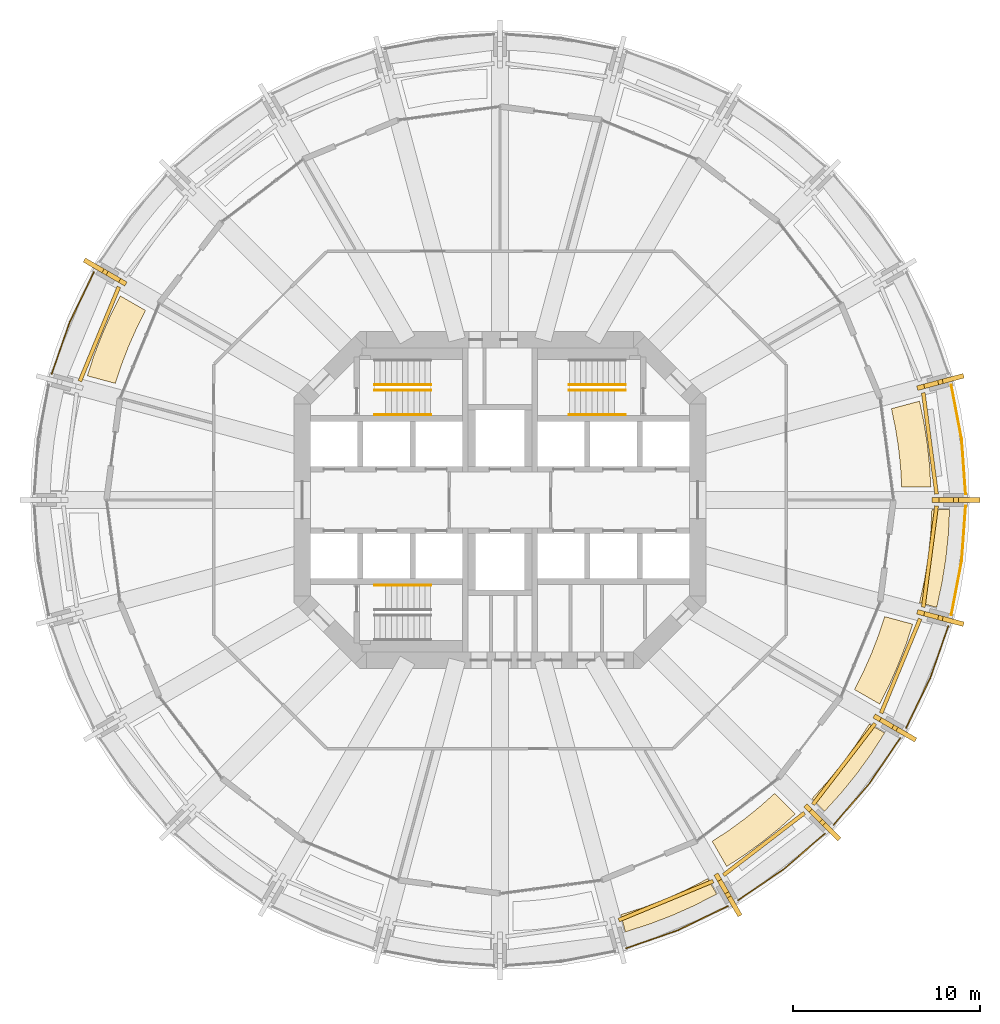
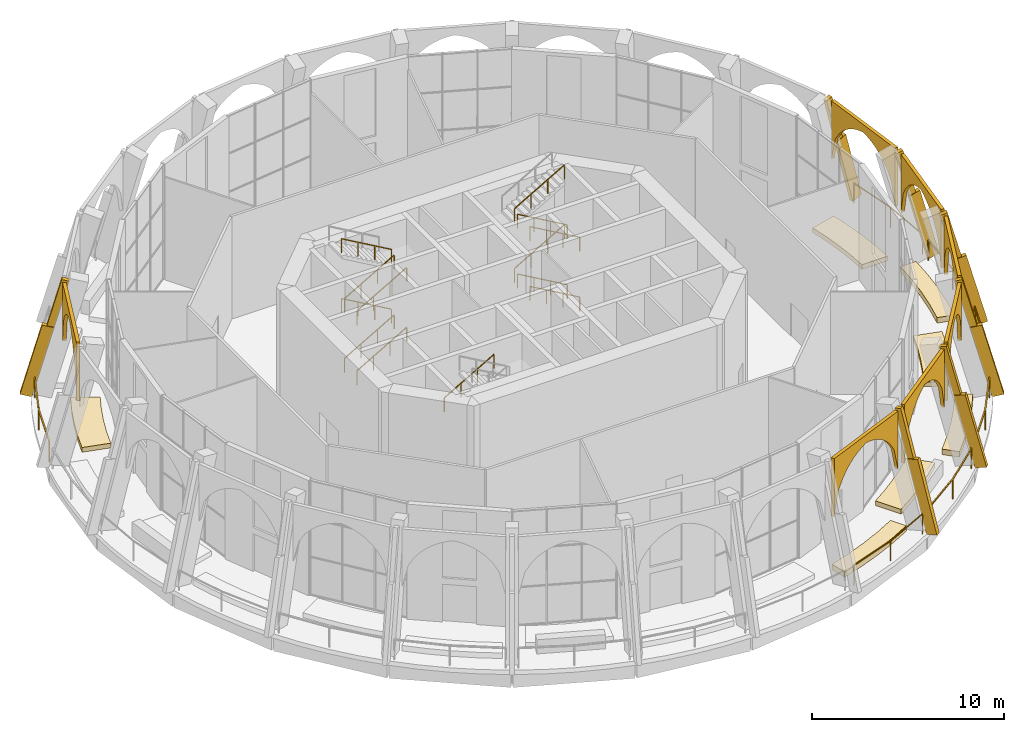
# One storey, part 17 of 18: 28 coverings, 20 railings.
"""IFC4 building model written with IfcOpenShell, lengths in metres."""

from ifc_helpers import new_model, si_unit, direction, frame, origin, origin_2d, place, context, subcontext, project, spatial, polyline, rectangle, outline, extrude, material, layer, layer_set, material_profile, profile_set, type_object, element, save


model = new_model("IFC4")

# Units and contexts
model_context = context("Model", 3, precision=1e-05, world=origin(), true_north=direction((0.0, 1.0)))
body_context = subcontext(model_context, "Body", "Model", "MODEL_VIEW")
ifc_project = project(units=[si_unit("LENGTHUNIT", "METRE"), si_unit("AREAUNIT", "SQUARE_METRE"), si_unit("VOLUMEUNIT", "CUBIC_METRE"), si_unit("PLANEANGLEUNIT", "RADIAN"), si_unit("MASSUNIT", "GRAM", prefix="KILO")], contexts=[model_context])

# Site, building, storey
site_placement = place(None, origin())
site = spatial("IfcSite", under=ifc_project, at=site_placement, CompositionType="ELEMENT")
building_placement = place(site_placement, origin())
building = spatial("IfcBuilding", under=site, at=building_placement, Name="Torre Triforio", CompositionType="ELEMENT")
storey_placement = place(building_placement, frame((0.0, 0.0, 146.60009765625)))
storey = spatial("IfcBuildingStorey", under=building, at=storey_placement, Name="L33", CompositionType="ELEMENT", Elevation=146.60009765625)

# Railings
ifc_material_1 = material(Name="Stainless steel AISI 316", Category="steel")
railing_type_1 = type_object("IfcRailingType", Name="HANDRAIL 920", PredefinedType="HANDRAIL", material=ifc_material_1)
for number, where, name in (
    (1, (-6.699951171875, 4.550048828125, 0.172607421875), "Handrail ST1"),
    (2, (-6.699951171875, 5.85009765625, 0.172607421875), "Handrail ST1"),
):
    element("IfcRailing", number, at=place(storey_placement, frame(where)), inside=storey, type_object=railing_type_1, Name=name, PredefinedType="HANDRAIL", context=body_context, shape_type="SweptSolid", body=[
        extrude(rectangle(XDim=0.048095703125, YDim=0.048095703125, at=origin_2d()), frame((0.0, 0.0, 0.89599609375), z_axis=(0.866619684472, 0.0, 0.498969260062), x_axis=(0.0, 1.0, 0.0)), (0.0, 0.0, 1.0), 3.461669921875),
        extrude(rectangle(XDim=0.0419921875, YDim=0.0419921875, at=origin_2d()), origin(), (0.0, 0.0, 1.0), 0.871826171875),
        extrude(rectangle(XDim=0.0419921875, YDim=0.0419921875, at=origin_2d()), frame((1.0, 0.0, 0.57568359375)), (0.0, 0.0, 1.0), 0.871826171875),
        extrude(rectangle(XDim=0.0419921875, YDim=0.0419921875, at=origin_2d()), frame((2.0, 0.0, 1.151611328125)), (0.0, 0.0, 1.0), 0.871826171875),
        extrude(rectangle(XDim=0.0419921875, YDim=0.0419921875, at=origin_2d()), frame((3.0, 0.0, 1.727294921875)), (0.0, 0.0, 1.0), 0.871826171875),
    ])
railing_1_placement = place(storey_placement, frame((-3.699951171875, 6.14990234375, 2.072509765625)))
element("IfcRailing", 3, at=railing_1_placement, inside=storey, type_object=railing_type_1, Name="Handrail ST1", PredefinedType="HANDRAIL", context=body_context, shape_type="SweptSolid", body=[
    extrude(rectangle(XDim=0.048095703125, YDim=0.048095703125, at=origin_2d()), frame((0.0, 0.0, 0.89599609375), z_axis=(-0.866619684472, 0.0, 0.498969260062), x_axis=(0.0, -1.0, 0.0)), (0.0, 0.0, 1.0), 3.461669921875),
    extrude(rectangle(XDim=0.0419921875, YDim=0.0419921875, at=origin_2d()), origin(), (0.0, 0.0, 1.0), 0.871826171875),
    extrude(rectangle(XDim=0.0419921875, YDim=0.0419921875, at=origin_2d()), frame((-1.0, 0.0, 0.57568359375)), (0.0, 0.0, 1.0), 0.871826171875),
    extrude(rectangle(XDim=0.0419921875, YDim=0.0419921875, at=origin_2d()), frame((-2.0, 0.0, 1.151611328125)), (0.0, 0.0, 1.0), 0.871826171875),
    extrude(rectangle(XDim=0.0419921875, YDim=0.0419921875, at=origin_2d()), frame((-3.0, 0.0, 1.727294921875)), (0.0, 0.0, 1.0), 0.871826171875),
])
for number, where, name in (
    (4, (-6.699951171875, 4.550048828125, 3.97265625), "Handrail ST1"),
    (5, (-6.699951171875, 5.85009765625, 3.97265625), "Handrail ST1"),
):
    element("IfcRailing", number, at=place(storey_placement, frame(where)), inside=storey, type_object=railing_type_1, Name=name, PredefinedType="HANDRAIL", context=body_context, shape_type="SweptSolid", body=[
        extrude(rectangle(XDim=0.048095703125, YDim=0.048095703125, at=origin_2d()), frame((0.0, 0.0, 0.89599609375), z_axis=(0.866619684472, 0.0, 0.498969260062), x_axis=(0.0, 1.0, 0.0)), (0.0, 0.0, 1.0), 3.461669921875),
        extrude(rectangle(XDim=0.0419921875, YDim=0.0419921875, at=origin_2d()), origin(), (0.0, 0.0, 1.0), 0.871826171875),
        extrude(rectangle(XDim=0.0419921875, YDim=0.0419921875, at=origin_2d()), frame((1.0, 0.0, 0.57568359375)), (0.0, 0.0, 1.0), 0.871826171875),
        extrude(rectangle(XDim=0.0419921875, YDim=0.0419921875, at=origin_2d()), frame((2.0, 0.0, 1.151611328125)), (0.0, 0.0, 1.0), 0.871826171875),
        extrude(rectangle(XDim=0.0419921875, YDim=0.0419921875, at=origin_2d()), frame((3.0, 0.0, 1.727294921875)), (0.0, 0.0, 1.0), 0.871826171875),
    ])
for number, where, name in (
    (6, (-3.699951171875, 6.14990234375, 5.87255859375), "Handrail ST1"),
    (7, (6.699951171875, 4.550048828125, 0.172607421875), "Handrail ST2"),
    (8, (6.699951171875, 5.85009765625, 0.172607421875), "Handrail ST2"),
):
    element("IfcRailing", number, at=place(storey_placement, frame(where)), inside=storey, type_object=railing_type_1, Name=name, PredefinedType="HANDRAIL", context=body_context, shape_type="SweptSolid", body=[
        extrude(rectangle(XDim=0.048095703125, YDim=0.048095703125, at=origin_2d()), frame((0.0, 0.0, 0.89599609375), z_axis=(-0.866619684472, 0.0, 0.498969260062), x_axis=(0.0, -1.0, 0.0)), (0.0, 0.0, 1.0), 3.461669921875),
        extrude(rectangle(XDim=0.0419921875, YDim=0.0419921875, at=origin_2d()), origin(), (0.0, 0.0, 1.0), 0.871826171875),
        extrude(rectangle(XDim=0.0419921875, YDim=0.0419921875, at=origin_2d()), frame((-1.0, 0.0, 0.57568359375)), (0.0, 0.0, 1.0), 0.871826171875),
        extrude(rectangle(XDim=0.0419921875, YDim=0.0419921875, at=origin_2d()), frame((-2.0, 0.0, 1.151611328125)), (0.0, 0.0, 1.0), 0.871826171875),
        extrude(rectangle(XDim=0.0419921875, YDim=0.0419921875, at=origin_2d()), frame((-3.0, 0.0, 1.727294921875)), (0.0, 0.0, 1.0), 0.871826171875),
    ])
railing_2_placement = place(storey_placement, frame((3.699951171875, 6.14990234375, 2.072509765625)))
element("IfcRailing", 9, at=railing_2_placement, inside=storey, type_object=railing_type_1, Name="Handrail ST2", PredefinedType="HANDRAIL", context=body_context, shape_type="SweptSolid", body=[
    extrude(rectangle(XDim=0.048095703125, YDim=0.048095703125, at=origin_2d()), frame((0.0, 0.0, 0.89599609375), z_axis=(0.866619684472, 0.0, 0.498969260062), x_axis=(0.0, 1.0, 0.0)), (0.0, 0.0, 1.0), 3.461669921875),
    extrude(rectangle(XDim=0.0419921875, YDim=0.0419921875, at=origin_2d()), origin(), (0.0, 0.0, 1.0), 0.871826171875),
    extrude(rectangle(XDim=0.0419921875, YDim=0.0419921875, at=origin_2d()), frame((1.0, 0.0, 0.57568359375)), (0.0, 0.0, 1.0), 0.871826171875),
    extrude(rectangle(XDim=0.0419921875, YDim=0.0419921875, at=origin_2d()), frame((2.0, 0.0, 1.151611328125)), (0.0, 0.0, 1.0), 0.871826171875),
    extrude(rectangle(XDim=0.0419921875, YDim=0.0419921875, at=origin_2d()), frame((3.0, 0.0, 1.727294921875)), (0.0, 0.0, 1.0), 0.871826171875),
])
for number, where, name in (
    (10, (6.699951171875, 4.550048828125, 3.97265625), "Handrail ST2"),
    (11, (6.699951171875, 5.85009765625, 3.97265625), "Handrail ST2"),
):
    element("IfcRailing", number, at=place(storey_placement, frame(where)), inside=storey, type_object=railing_type_1, Name=name, PredefinedType="HANDRAIL", context=body_context, shape_type="SweptSolid", body=[
        extrude(rectangle(XDim=0.048095703125, YDim=0.048095703125, at=origin_2d()), frame((0.0, 0.0, 0.89599609375), z_axis=(-0.866619684472, 0.0, 0.498969260062), x_axis=(0.0, -1.0, 0.0)), (0.0, 0.0, 1.0), 3.461669921875),
        extrude(rectangle(XDim=0.0419921875, YDim=0.0419921875, at=origin_2d()), origin(), (0.0, 0.0, 1.0), 0.871826171875),
        extrude(rectangle(XDim=0.0419921875, YDim=0.0419921875, at=origin_2d()), frame((-1.0, 0.0, 0.57568359375)), (0.0, 0.0, 1.0), 0.871826171875),
        extrude(rectangle(XDim=0.0419921875, YDim=0.0419921875, at=origin_2d()), frame((-2.0, 0.0, 1.151611328125)), (0.0, 0.0, 1.0), 0.871826171875),
        extrude(rectangle(XDim=0.0419921875, YDim=0.0419921875, at=origin_2d()), frame((-3.0, 0.0, 1.727294921875)), (0.0, 0.0, 1.0), 0.871826171875),
    ])
for number, where, name in (
    (12, (3.699951171875, 6.14990234375, 5.87255859375), "Handrail ST2"),
    (13, (-6.699951171875, -4.550048828125, 3.97265625), "Handrail ST3"),
):
    element("IfcRailing", number, at=place(storey_placement, frame(where)), inside=storey, type_object=railing_type_1, Name=name, PredefinedType="HANDRAIL", context=body_context, shape_type="SweptSolid", body=[
        extrude(rectangle(XDim=0.048095703125, YDim=0.048095703125, at=origin_2d()), frame((0.0, 0.0, 0.89599609375), z_axis=(0.866619684472, 0.0, 0.498969260062), x_axis=(0.0, 1.0, 0.0)), (0.0, 0.0, 1.0), 3.461669921875),
        extrude(rectangle(XDim=0.0419921875, YDim=0.0419921875, at=origin_2d()), origin(), (0.0, 0.0, 1.0), 0.871826171875),
        extrude(rectangle(XDim=0.0419921875, YDim=0.0419921875, at=origin_2d()), frame((1.0, 0.0, 0.57568359375)), (0.0, 0.0, 1.0), 0.871826171875),
        extrude(rectangle(XDim=0.0419921875, YDim=0.0419921875, at=origin_2d()), frame((2.0, 0.0, 1.151611328125)), (0.0, 0.0, 1.0), 0.871826171875),
        extrude(rectangle(XDim=0.0419921875, YDim=0.0419921875, at=origin_2d()), frame((3.0, 0.0, 1.727294921875)), (0.0, 0.0, 1.0), 0.871826171875),
    ])

# Coverings
ifc_material_2 = material(Name="Limestone arch panel", Category="masonry")
ifc_layer_1 = layer(ifc_material_2, 0.199951171875)
ifc_layer_set_1 = layer_set([ifc_layer_1], Name="Limestone arch panel")
covering_type_1 = type_object("IfcCoveringType", Name="Lancet arch cladding panel 200", PredefinedType="CLADDING", material=ifc_layer_set_1)
covering_1_placement = place(storey_placement, frame((22.84521484375, 3.007568359375, 0.0), z_axis=(0.991450144272, 0.130486058348, 0.0), x_axis=(-0.130486058348, 0.991450144272, 0.0)))
element("IfcCovering", 14, at=covering_1_placement, inside=storey, type_object=covering_type_1, Name="Lancet arch panel L33 bay 01", PredefinedType="CLADDING", context=body_context, shape_type="SweptSolid", body=[
    extrude(outline(polyline([(-2.72412109375, 7.320068359375), (-2.72412109375, 3.605712890625), (-2.383544921875, 5.055908203125), (-2.04296875, 5.59912109375), (-1.702392578125, 5.97509765625), (-1.362060546875, 6.25537109375), (-1.021484375, 6.468505859375), (-0.680908203125, 6.62890625), (-0.340576171875, 6.744384765625), (0.0, 6.820068359375), (0.340576171875, 6.744384765625), (0.680908203125, 6.62890625), (1.021484375, 6.468505859375), (1.362060546875, 6.25537109375), (1.702392578125, 5.97509765625), (2.04296875, 5.59912109375), (2.383544921875, 5.055908203125), (2.72412109375, 3.605712890625), (2.72412109375, 7.320068359375), (-2.72412109375, 7.320068359375)])), origin(), (0.0, 0.0, 1.0), 0.2001953125),
])
for number, where, z_axis, x_axis, name in (
    (15, (-21.288330078125, 8.818115234375, 0.0), (-0.924120904221, 0.382100188932, 0.0), (-0.382100188932, -0.924120904221, 0.0), "Lancet arch panel L33 bay 11"),
    (16, (8.818115234375, -21.288330078125, 0.0), (0.382100188932, -0.924120904221, 0.0), (0.924120904221, 0.382100188932, 0.0), "Lancet arch panel L33 bay 20"),
    (17, (14.02734375, -18.28076171875, 0.0), (0.608943800998, -0.793213368033, 0.0), (0.793213368033, 0.608943800998, 0.0), "Lancet arch panel L33 bay 21"),
    (18, (18.28076171875, -14.02734375, 0.0), (0.793213368033, -0.608943800998, 0.0), (0.608943800998, 0.793213368033, 0.0), "Lancet arch panel L33 bay 22"),
    (19, (21.288330078125, -8.818115234375, 0.0), (0.924120904221, -0.382100188932, 0.0), (0.382100188932, 0.924120904221, 0.0), "Lancet arch panel L33 bay 23"),
):
    element("IfcCovering", number, at=place(storey_placement, frame(where, z_axis=z_axis, x_axis=x_axis)), inside=storey, type_object=covering_type_1, Name=name, PredefinedType="CLADDING", context=body_context, shape_type="SweptSolid", body=[
        extrude(outline(polyline([(-2.72412109375, 7.320068359375), (-2.72412109375, 3.605712890625), (-2.383544921875, 5.055908203125), (-2.04296875, 5.59912109375), (-1.702392578125, 5.97509765625), (-1.362060546875, 6.25537109375), (-1.021484375, 6.468505859375), (-0.680908203125, 6.62890625), (-0.340576171875, 6.744384765625), (0.0, 6.820068359375), (0.340576171875, 6.744384765625), (0.680908203125, 6.62890625), (1.021484375, 6.468505859375), (1.362060546875, 6.25537109375), (1.702392578125, 5.97509765625), (2.04296875, 5.59912109375), (2.383544921875, 5.055908203125), (2.72412109375, 3.605712890625), (2.72412109375, 7.320068359375), (-2.72412109375, 7.320068359375)])), origin(), (0.0, 0.0, 1.0), 0.199951171875),
    ])
covering_2_placement = place(storey_placement, frame((22.84521484375, -3.007568359375, 0.0), z_axis=(0.991450144272, -0.130486058348, 0.0), x_axis=(0.130486058348, 0.991450144272, 0.0)))
element("IfcCovering", 20, at=covering_2_placement, inside=storey, type_object=covering_type_1, Name="Lancet arch panel L33 bay 24", PredefinedType="CLADDING", context=body_context, shape_type="SweptSolid", body=[
    extrude(outline(polyline([(-2.72412109375, 7.320068359375), (-2.72412109375, 3.605712890625), (-2.383544921875, 5.055908203125), (-2.04296875, 5.59912109375), (-1.702392578125, 5.97509765625), (-1.362060546875, 6.25537109375), (-1.021484375, 6.468505859375), (-0.680908203125, 6.62890625), (-0.340576171875, 6.744384765625), (0.0, 6.820068359375), (0.340576171875, 6.744384765625), (0.680908203125, 6.62890625), (1.021484375, 6.468505859375), (1.362060546875, 6.25537109375), (1.702392578125, 5.97509765625), (2.04296875, 5.59912109375), (2.383544921875, 5.055908203125), (2.72412109375, 3.605712890625), (2.72412109375, 7.320068359375), (-2.72412109375, 7.320068359375)])), origin(), (0.0, 0.0, 1.0), 0.2001953125),
])

# Railings
railing_type_2 = type_object("IfcRailingType", Name="Loggia guard 1300", PredefinedType="GUARDRAIL", material=ifc_material_1)
railing_3_placement = place(storey_placement, frame((24.85009765625, 0.320068359375, 0.0)))
element("IfcRailing", 21, at=railing_3_placement, inside=storey, type_object=railing_type_2, Name="Loggia guard L33 bay 01", PredefinedType="GUARDRAIL", context=body_context, shape_type="SweptSolid", body=[
    extrude(rectangle(XDim=0.050048828125, YDim=0.050048828125, at=origin_2d()), frame((0.0, 0.0, 1.27490234375), z_axis=(-0.072543227511, 0.997365269168, 0.0), x_axis=(-0.997365269168, -0.072543227511, 0.0)), (0.0, 0.0, 1.0), 2.931396484375),
    extrude(rectangle(XDim=0.050048828125, YDim=0.050048828125, at=origin_2d()), frame((-0.212646484375, 2.923583984375, 1.27490234375), z_axis=(-0.188068851895, 0.982155846568, 0.0), x_axis=(-0.982155846568, -0.188068851895, 0.0)), (0.0, 0.0, 1.0), 2.93115234375),
    extrude(rectangle(XDim=0.0400390625, YDim=0.0400390625, at=origin_2d()), origin(), (0.0, 0.0, 1.0), 1.25),
    extrude(rectangle(XDim=0.0400390625, YDim=0.0400390625, at=origin_2d()), frame((-0.212646484375, 2.923583984375, 0.0)), (0.0, 0.0, 1.0), 1.25),
    extrude(rectangle(XDim=0.0400390625, YDim=0.0400390625, at=origin_2d()), frame((-0.763916015625, 5.802490234375, 0.0)), (0.0, 0.0, 1.0), 1.25),
])
railing_4_placement = place(storey_placement, frame((-21.6806640625, 12.14794921875, 0.0)))
element("IfcRailing", 22, at=railing_4_placement, inside=storey, type_object=railing_type_2, Name="Loggia guard L33 bay 11", PredefinedType="GUARDRAIL", context=body_context, shape_type="SweptSolid", body=[
    extrude(rectangle(XDim=0.050048828125, YDim=0.050048828125, at=origin_2d()), frame((0.0, 0.0, 1.27490234375), z_axis=(-0.435917913275, -0.899986429279, 0.0), x_axis=(0.899986429279, -0.435917913275, 0.0)), (0.0, 0.0, 1.0), 2.931396484375),
    extrude(rectangle(XDim=0.050048828125, YDim=0.050048828125, at=origin_2d()), frame((-1.27783203125, -2.63818359375, 1.27490234375), z_axis=(-0.328145883403, -0.944627058264, 0.0), x_axis=(0.944627058264, -0.328145883403, 0.0)), (0.0, 0.0, 1.0), 2.931396484375),
    extrude(rectangle(XDim=0.0400390625, YDim=0.0400390625, at=origin_2d()), origin(), (0.0, 0.0, 1.0), 1.25),
    extrude(rectangle(XDim=0.0400390625, YDim=0.0400390625, at=origin_2d()), frame((-1.27783203125, -2.63818359375, 0.0)), (0.0, 0.0, 1.0), 1.25),
    extrude(rectangle(XDim=0.0400390625, YDim=0.0400390625, at=origin_2d()), frame((-2.23974609375, -5.4072265625, 0.0)), (0.0, 0.0, 1.0), 1.25),
])
railing_5_placement = place(storey_placement, frame((6.74072265625, -23.92041015625, 0.0)))
element("IfcRailing", 23, at=railing_5_placement, inside=storey, type_object=railing_type_2, Name="Loggia guard L33 bay 20", PredefinedType="GUARDRAIL", context=body_context, shape_type="SweptSolid", body=[
    extrude(rectangle(XDim=0.050048828125, YDim=0.050048828125, at=origin_2d()), frame((0.0, 0.0, 1.27490234375), z_axis=(0.944627058264, 0.328145883403, 0.0), x_axis=(-0.328145883403, 0.944627058264, 0.0)), (0.0, 0.0, 1.0), 2.931396484375),
    extrude(rectangle(XDim=0.050048828125, YDim=0.050048828125, at=origin_2d()), frame((2.76904296875, 0.9619140625, 1.27490234375), z_axis=(0.899986429279, 0.435917913275, 0.0), x_axis=(-0.435917913275, 0.899986429279, 0.0)), (0.0, 0.0, 1.0), 2.931396484375),
    extrude(rectangle(XDim=0.0400390625, YDim=0.0400390625, at=origin_2d()), origin(), (0.0, 0.0, 1.0), 1.25),
    extrude(rectangle(XDim=0.0400390625, YDim=0.0400390625, at=origin_2d()), frame((2.76904296875, 0.9619140625, 0.0)), (0.0, 0.0, 1.0), 1.25),
    extrude(rectangle(XDim=0.0400390625, YDim=0.0400390625, at=origin_2d()), frame((5.4072265625, 2.23974609375, 0.0)), (0.0, 0.0, 1.0), 1.25),
])
railing_6_placement = place(storey_placement, frame((12.7021484375, -21.360595703125, 0.0)))
element("IfcRailing", 24, at=railing_6_placement, inside=storey, type_object=railing_type_2, Name="Loggia guard L33 bay 21", PredefinedType="GUARDRAIL", context=body_context, shape_type="SweptSolid", body=[
    extrude(rectangle(XDim=0.050048828125, YDim=0.050048828125, at=origin_2d()), frame((0.0, 0.0, 1.27490234375), z_axis=(0.827499269821, 0.561466791934, 0.0), x_axis=(-0.561466791934, 0.827499269821, 0.0)), (0.0, 0.0, 1.0), 2.93115234375),
    extrude(rectangle(XDim=0.050048828125, YDim=0.050048828125, at=origin_2d()), frame((2.425537109375, 1.645751953125, 1.27490234375), z_axis=(0.756510170049, 0.653981928353, 0.0), x_axis=(-0.653981928353, 0.756510170049, 0.0)), (0.0, 0.0, 1.0), 2.93115234375),
    extrude(rectangle(XDim=0.0400390625, YDim=0.0400390625, at=origin_2d()), origin(), (0.0, 0.0, 1.0), 1.25),
    extrude(rectangle(XDim=0.0400390625, YDim=0.0400390625, at=origin_2d()), frame((2.425537109375, 1.645751953125, 0.0)), (0.0, 0.0, 1.0), 1.25),
    extrude(rectangle(XDim=0.0400390625, YDim=0.0400390625, at=origin_2d()), frame((4.64306640625, 3.562744140625, 0.0)), (0.0, 0.0, 1.0), 1.25),
])
railing_7_placement = place(storey_placement, frame((17.7978515625, -17.34521484375, 0.0)))
element("IfcRailing", 25, at=railing_7_placement, inside=storey, type_object=railing_type_2, Name="Loggia guard L33 bay 22", PredefinedType="GUARDRAIL", context=body_context, shape_type="SweptSolid", body=[
    extrude(rectangle(XDim=0.050048828125, YDim=0.050048828125, at=origin_2d()), frame((0.0, 0.0, 1.27490234375), z_axis=(0.653981928353, 0.756510170049, 0.0), x_axis=(-0.756510170049, 0.653981928353, 0.0)), (0.0, 0.0, 1.0), 2.93115234375),
    extrude(rectangle(XDim=0.050048828125, YDim=0.050048828125, at=origin_2d()), frame((1.9169921875, 2.217529296875, 1.27490234375), z_axis=(0.561466791934, 0.827499269821, 0.0), x_axis=(-0.827499269821, 0.561466791934, 0.0)), (0.0, 0.0, 1.0), 2.93115234375),
    extrude(rectangle(XDim=0.0400390625, YDim=0.0400390625, at=origin_2d()), origin(), (0.0, 0.0, 1.0), 1.25),
    extrude(rectangle(XDim=0.0400390625, YDim=0.0400390625, at=origin_2d()), frame((1.9169921875, 2.217529296875, 0.0)), (0.0, 0.0, 1.0), 1.25),
    extrude(rectangle(XDim=0.0400390625, YDim=0.0400390625, at=origin_2d()), frame((3.562744140625, 4.64306640625, 0.0)), (0.0, 0.0, 1.0), 1.25),
])
railing_8_placement = place(storey_placement, frame((21.6806640625, -12.14794921875, 0.0)))
element("IfcRailing", 26, at=railing_8_placement, inside=storey, type_object=railing_type_2, Name="Loggia guard L33 bay 23", PredefinedType="GUARDRAIL", context=body_context, shape_type="SweptSolid", body=[
    extrude(rectangle(XDim=0.050048828125, YDim=0.050048828125, at=origin_2d()), frame((0.0, 0.0, 1.27490234375), z_axis=(0.435917913275, 0.899986429279, 0.0), x_axis=(-0.899986429279, 0.435917913275, 0.0)), (0.0, 0.0, 1.0), 2.931396484375),
    extrude(rectangle(XDim=0.050048828125, YDim=0.050048828125, at=origin_2d()), frame((1.27783203125, 2.63818359375, 1.27490234375), z_axis=(0.328145883403, 0.944627058264, 0.0), x_axis=(-0.944627058264, 0.328145883403, 0.0)), (0.0, 0.0, 1.0), 2.931396484375),
    extrude(rectangle(XDim=0.0400390625, YDim=0.0400390625, at=origin_2d()), origin(), (0.0, 0.0, 1.0), 1.25),
    extrude(rectangle(XDim=0.0400390625, YDim=0.0400390625, at=origin_2d()), frame((1.27783203125, 2.63818359375, 0.0)), (0.0, 0.0, 1.0), 1.25),
    extrude(rectangle(XDim=0.0400390625, YDim=0.0400390625, at=origin_2d()), frame((2.23974609375, 5.4072265625, 0.0)), (0.0, 0.0, 1.0), 1.25),
])
railing_9_placement = place(storey_placement, frame((24.086181640625, -6.12255859375, 0.0)))
element("IfcRailing", 27, at=railing_9_placement, inside=storey, type_object=railing_type_2, Name="Loggia guard L33 bay 24", PredefinedType="GUARDRAIL", context=body_context, shape_type="SweptSolid", body=[
    extrude(rectangle(XDim=0.050048828125, YDim=0.050048828125, at=origin_2d()), frame((0.0, 0.0, 1.27490234375), z_axis=(0.188068851895, 0.982155846568, 0.0), x_axis=(-0.982155846568, 0.188068851895, 0.0)), (0.0, 0.0, 1.0), 2.93115234375),
    extrude(rectangle(XDim=0.050048828125, YDim=0.050048828125, at=origin_2d()), frame((0.55126953125, 2.87890625, 1.27490234375), z_axis=(0.072543227511, 0.997365269168, 0.0), x_axis=(-0.997365269168, 0.072543227511, 0.0)), (0.0, 0.0, 1.0), 2.931396484375),
    extrude(rectangle(XDim=0.0400390625, YDim=0.0400390625, at=origin_2d()), origin(), (0.0, 0.0, 1.0), 1.25),
    extrude(rectangle(XDim=0.0400390625, YDim=0.0400390625, at=origin_2d()), frame((0.55126953125, 2.87890625, 0.0)), (0.0, 0.0, 1.0), 1.25),
    extrude(rectangle(XDim=0.0400390625, YDim=0.0400390625, at=origin_2d()), frame((0.763916015625, 5.802490234375, 0.0)), (0.0, 0.0, 1.0), 1.25),
])

# Coverings
ifc_material_3 = material(Name="Planted topsoil bed")
ifc_layer_2 = layer(ifc_material_3, 0.300048828125)
ifc_layer_set_2 = layer_set([ifc_layer_2], Name="Planted topsoil bed")
covering_type_2 = type_object("IfcCoveringType", Name="Planted bed 300", PredefinedType="FLOORING", material=ifc_layer_set_2)
covering_3_placement = place(storey_placement, origin())
element("IfcCovering", 28, at=covering_3_placement, inside=storey, type_object=covering_type_2, Name="Sky garden L33 planted bed 01", PredefinedType="FLOORING", context=body_context, shape_type="SweptSolid", body=[
    extrude(outline(polyline([(21.438720703125, 0.69970703125), (21.37841796875, 1.751708984375), (21.2666015625, 2.7998046875), (21.103271484375, 3.841064453125), (20.88916015625, 4.872802734375), (22.38720703125, 5.274169921875), (22.623779296875, 4.143310546875), (22.80322265625, 3.002197265625), (22.92529296875, 1.853271484375), (22.989501953125, 0.69970703125), (21.438720703125, 0.69970703125)])), origin(), (0.0, 0.0, 1.0), 0.2998046875),
])
covering_4_placement = place(storey_placement, origin())
element("IfcCovering", 29, at=covering_4_placement, inside=storey, type_object=covering_type_2, Name="Sky garden L33 planted bed 11", PredefinedType="FLOORING", context=body_context, shape_type="SweptSolid", body=[
    extrude(outline(polyline([(-18.916259765625, 10.11328125), (-19.39013671875, 9.172119140625), (-19.817138671875, 8.20849609375), (-20.196533203125, 7.225341796875), (-20.527099609375, 6.224609375), (-22.02490234375, 6.6259765625), (-21.664306640625, 7.7236328125), (-21.249267578125, 8.8017578125), (-20.780517578125, 9.857666015625), (-20.25927734375, 10.888671875), (-18.916259765625, 10.11328125)])), origin(), (0.0, 0.0, 1.0), 0.2998046875),
])
covering_5_placement = place(storey_placement, origin())
element("IfcCovering", 30, at=covering_5_placement, inside=storey, type_object=covering_type_2, Name="Sky garden L33 planted bed 21", PredefinedType="FLOORING", context=body_context, shape_type="SweptSolid", body=[
    extrude(outline(polyline([(11.3251953125, -18.216552734375), (12.206298828125, -17.63818359375), (13.057861328125, -17.017333984375), (13.8779296875, -16.35546875), (14.664794921875, -15.654052734375), (15.76123046875, -16.750732421875), (14.900146484375, -17.52099609375), (14.00146484375, -18.2470703125), (13.067626953125, -18.92724609375), (12.1005859375, -19.5595703125), (11.3251953125, -18.216552734375)])), origin(), (0.0, 0.0, 1.0), 0.2998046875),
])
covering_6_placement = place(storey_placement, origin())
element("IfcCovering", 31, at=covering_6_placement, inside=storey, type_object=covering_type_2, Name="Sky garden L33 planted bed 23", PredefinedType="FLOORING", context=body_context, shape_type="SweptSolid", body=[
    extrude(outline(polyline([(18.916259765625, -10.11328125), (19.39013671875, -9.172119140625), (19.817138671875, -8.20849609375), (20.196533203125, -7.225341796875), (20.527099609375, -6.224609375), (22.02490234375, -6.6259765625), (21.664306640625, -7.7236328125), (21.249267578125, -8.8017578125), (20.780517578125, -9.857666015625), (20.25927734375, -10.888671875), (18.916259765625, -10.11328125)])), origin(), (0.0, 0.0, 1.0), 0.2998046875),
])
ifc_layer_3 = layer(ifc_material_3, 0.35009765625)
ifc_layer_set_3 = layer_set([ifc_layer_3], Name="Planted topsoil bed")
covering_type_3 = type_object("IfcCoveringType", Name="Planted terrace ledge 350", PredefinedType="FLOORING", material=ifc_layer_set_3)
covering_7_placement = place(storey_placement, origin())
element("IfcCovering", 32, at=covering_7_placement, inside=storey, type_object=covering_type_3, Name="Planted terrace ledge L33 bay 20", PredefinedType="FLOORING", context=body_context, shape_type="SweptSolid", body=[
    extrude(outline(polyline([(6.447265625, -22.1298828125), (7.6455078125, -21.7451171875), (8.82080078125, -21.29541015625), (9.969970703125, -20.7822265625), (11.08935546875, -20.20703125), (11.564453125, -21.030029296875), (10.39013671875, -21.63427734375), (9.184326171875, -22.173095703125), (7.95068359375, -22.644775390625), (6.693115234375, -23.0478515625), (6.447265625, -22.1298828125)])), origin(), (0.0, 0.0, 1.0), 0.349853515625),
])
covering_8_placement = place(storey_placement, origin())
element("IfcCovering", 33, at=covering_8_placement, inside=storey, type_object=covering_type_3, Name="Planted terrace ledge L33 bay 22", PredefinedType="FLOORING", context=body_context, shape_type="SweptSolid", body=[
    extrude(outline(polyline([(16.6484375, -15.94140625), (17.49365234375, -15.009033203125), (18.286865234375, -14.031982421875), (19.025390625, -13.012939453125), (19.707275390625, -11.955078125), (20.5302734375, -12.430419921875), (19.815185546875, -13.540771484375), (19.04052734375, -14.6103515625), (18.2080078125, -15.635498046875), (17.3203125, -16.61328125), (16.6484375, -15.94140625)])), origin(), (0.0, 0.0, 1.0), 0.349853515625),
])
covering_9_placement = place(storey_placement, origin())
element("IfcCovering", 34, at=covering_9_placement, inside=storey, type_object=covering_type_3, Name="Planted terrace ledge L33 bay 24", PredefinedType="FLOORING", context=body_context, shape_type="SweptSolid", body=[
    extrude(outline(polyline([(22.388671875, -5.4814453125), (22.654541015625, -4.25146484375), (22.852783203125, -3.008544921875), (22.98291015625, -1.7568359375), (23.044677734375, -0.5), (23.994873046875, -0.5), (23.930908203125, -1.819091796875), (23.794677734375, -3.132568359375), (23.586181640625, -4.436767578125), (23.306640625, -5.7275390625), (22.388671875, -5.4814453125)])), origin(), (0.0, 0.0, 1.0), 0.349853515625),
])
ifc_material_4 = material(Name="Limestone fin", Category="masonry")
ifc_material_profile_1 = material_profile(ifc_material_4, rectangle(XDim=0.39990234375, YDim=0.25, at=origin_2d()), Name="FIN 400x250")
ifc_profile_set_1 = profile_set([ifc_material_profile_1], Name="Limestone fin")
covering_type_4 = type_object("IfcCoveringType", Name="Stone fin 400 x 250", PredefinedType="CLADDING", material=ifc_profile_set_1)
for number, where, z_axis, x_axis, name in (
    (35, (24.016357421875, 0.0, 4.391845703125), (-0.254489330115, 0.0, 0.967075581771), (0.967075581771, 0.0, 0.254489330115), "Stone fin C01 L33 upper"),
    (36, (23.197998046875, 6.2158203125, 4.391845703125), (-0.245859670943, -0.065799111673, 0.967069542022), (0.934192247905, 0.250016685566, 0.254512280437), "Stone fin C02 L33 upper"),
    (37, (-20.798828125, 12.00830078125, 4.391845703125), (0.220378446807, -0.127324393527, 0.967068683701), (-0.837359844453, 0.483787484226, 0.254515541773), "Stone fin C11 L33 upper"),
    (38, (12.00830078125, -20.798828125, 4.391845703125), (-0.127324393527, 0.220378446807, 0.967068683701), (0.483787484226, -0.837359844453, 0.254515541773), "Stone fin C21 L33 upper"),
    (39, (16.982177734375, -16.982177734375, 4.391845703125), (-0.179979109192, 0.179979109192, 0.967065168698), (0.683818338636, -0.683818338636, 0.254528897163), "Stone fin C22 L33 upper"),
    (40, (20.798828125, -12.00830078125, 4.391845703125), (-0.220378446807, 0.127324393527, 0.967068683701), (0.837359844453, -0.483787484226, 0.254515541773), "Stone fin C23 L33 upper"),
    (41, (23.197998046875, -6.2158203125, 4.391845703125), (-0.245859670943, 0.065799111673, 0.967069542022), (0.934192247905, -0.250016685566, 0.254512280437), "Stone fin C24 L33 upper"),
):
    element("IfcCovering", number, at=place(storey_placement, frame(where, z_axis=z_axis, x_axis=x_axis)), inside=storey, type_object=covering_type_4, Name=name, PredefinedType="CLADDING", context=body_context, shape_type="SweptSolid", body=[
        extrude(rectangle(XDim=0.39990234375, YDim=0.25, at=origin_2d()), origin(), (0.0, 0.0, 1.0), 3.027587890625),
    ])
ifc_material_profile_2 = material_profile(ifc_material_4, rectangle(XDim=0.64990234375, YDim=0.25, at=origin_2d()), Name="FIN 650x250")
ifc_profile_set_2 = profile_set([ifc_material_profile_2], Name="Limestone fin")
covering_type_5 = type_object("IfcCoveringType", Name="Stone fin 650 x 250", PredefinedType="CLADDING", material=ifc_profile_set_2)
covering_10_placement = place(storey_placement, frame((25.301513671875, 0.0, 0.0), z_axis=(-0.254546221717, 0.0, 0.967060608757), x_axis=(0.967060608757, 0.0, 0.254546221717)))
element("IfcCovering", 42, at=covering_10_placement, inside=storey, type_object=covering_type_5, Name="Stone fin C01 L33", PredefinedType="CLADDING", context=body_context, shape_type="SweptSolid", body=[
    extrude(rectangle(XDim=0.64990234375, YDim=0.25, at=origin_2d()), origin(), (0.0, 0.0, 1.0), 4.54150390625),
])
covering_11_placement = place(storey_placement, frame((24.439208984375, 6.548583984375, 0.0), z_axis=(-0.245788555581, -0.065909179602, 0.967080123873), x_axis=(0.93407982853, 0.250477224361, 0.254472069215)))
element("IfcCovering", 43, at=covering_11_placement, inside=storey, type_object=covering_type_5, Name="Stone fin C02 L33", PredefinedType="CLADDING", context=body_context, shape_type="SweptSolid", body=[
    extrude(rectangle(XDim=0.64990234375, YDim=0.25, at=origin_2d()), origin(), (0.0, 0.0, 1.0), 4.541259765625),
])
for number, where, z_axis, x_axis, name in (
    (44, (-21.91162109375, 12.650634765625, 0.0), (0.220412011371, -0.127247617296, 0.967071139646), (-0.837520212705, 0.48351471792, 0.254506209873), "Stone fin C11 L33"),
    (45, (12.650634765625, -21.91162109375, 0.0), (-0.127247617296, 0.220412011371, 0.967071139646), (0.48351471792, -0.837520212705, 0.254506209873), "Stone fin C21 L33"),
    (46, (17.890869140625, -17.890869140625, 0.0), (-0.17998378757, 0.17998378757, 0.967063427301), (0.683817107282, -0.683817107282, 0.254535513389), "Stone fin C22 L33"),
    (47, (21.91162109375, -12.650634765625, 0.0), (-0.220412011371, 0.127247617296, 0.967071139646), (0.837520212705, -0.48351471792, 0.254506209873), "Stone fin C23 L33"),
):
    element("IfcCovering", number, at=place(storey_placement, frame(where, z_axis=z_axis, x_axis=x_axis)), inside=storey, type_object=covering_type_5, Name=name, PredefinedType="CLADDING", context=body_context, shape_type="SweptSolid", body=[
        extrude(rectangle(XDim=0.64990234375, YDim=0.25, at=origin_2d()), origin(), (0.0, 0.0, 1.0), 4.54150390625),
    ])
covering_12_placement = place(storey_placement, frame((24.439208984375, -6.548583984375, 0.0), z_axis=(-0.245788555581, 0.065909179602, 0.967080123873), x_axis=(0.93407982853, -0.250477224361, 0.254472069215)))
element("IfcCovering", 48, at=covering_12_placement, inside=storey, type_object=covering_type_5, Name="Stone fin C24 L33", PredefinedType="CLADDING", context=body_context, shape_type="SweptSolid", body=[
    extrude(rectangle(XDim=0.64990234375, YDim=0.25, at=origin_2d()), origin(), (0.0, 0.0, 1.0), 4.541259765625),
])

save(model, "model.ifc")
